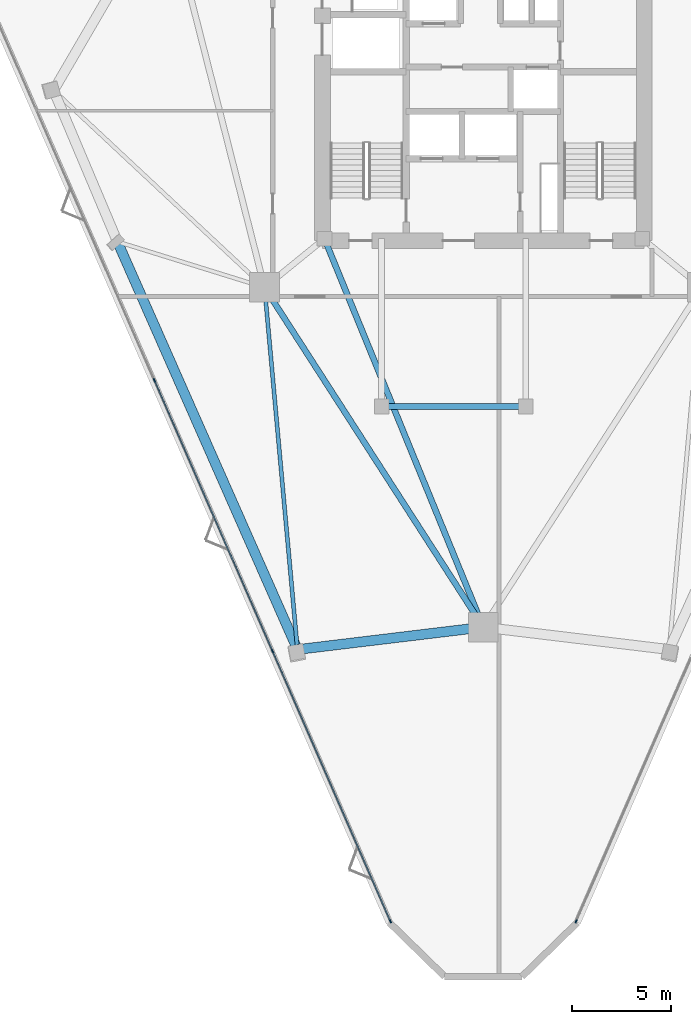
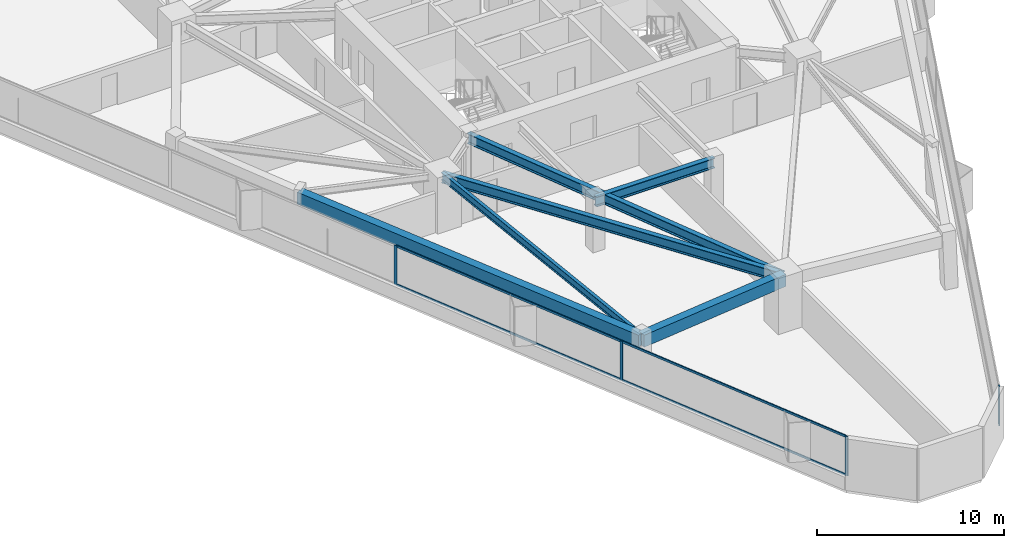
# One storey, part 2 of 14: 8 members, 6 beams, 2 elements without a shape of their own.
"""IFC4 building model written with IfcOpenShell, lengths in metres."""

from ifc_helpers import new_model, si_unit, direction, frame, origin, origin_2d, place, context, subcontext, project, spatial, rectangle, i_section, extrude, material, layer, layer_set, material_profile, profile_set, type_object, element, aggregate, save


model = new_model("IFC4")

# Units and contexts
model_context = context("Model", 3, precision=1e-05, world=origin(), true_north=direction((0.0, 1.0)))
body_context = subcontext(model_context, "Body", "Model", "MODEL_VIEW")
ifc_project = project(units=[si_unit("LENGTHUNIT", "METRE"), si_unit("AREAUNIT", "SQUARE_METRE"), si_unit("VOLUMEUNIT", "CUBIC_METRE"), si_unit("PLANEANGLEUNIT", "RADIAN"), si_unit("MASSUNIT", "GRAM", prefix="KILO")], contexts=[model_context])

# Site, building, storey
site_placement = place(None, origin())
site = spatial("IfcSite", under=ifc_project, at=site_placement, CompositionType="ELEMENT")
building_placement = place(site_placement, origin())
building = spatial("IfcBuilding", under=site, at=building_placement, Name="Talyreon Biosciences Tower", CompositionType="ELEMENT")
storey_placement = place(building_placement, frame((0.0, 0.0, 138.14990234375)))
storey = spatial("IfcBuildingStorey", under=building, at=storey_placement, Name="L36", CompositionType="ELEMENT", Elevation=138.14990234375)

# Curtain wall, members
ifc_material_1 = material(Name="Thermally broken aluminium and low-E glazing", Category="aluminium")
ifc_layer = layer(ifc_material_1, 0.18505859375)
ifc_layer_set = layer_set([ifc_layer], Name="Thermally broken aluminium and low-E glazing")
curtain_wall_type = type_object("IfcCurtainWallType", Name="CurtainWall_Zone3Bioprocess", PredefinedType="NOTDEFINED", material=ifc_layer_set)
curtain_wall_1_placement = place(storey_placement, origin())
curtain_wall_1 = element("IfcCurtainWall", 1, at=curtain_wall_1_placement, inside=storey, type_object=curtain_wall_type, Name="L36 Unitised Curtain Wall FCW-L36-00", PredefinedType="NOTDEFINED")
ifc_material_2 = material(Name="Anodised thermally broken aluminium", Category="aluminium")
ifc_material_profile_1 = material_profile(ifc_material_2, rectangle(XDim=0.06494140625, YDim=0.179931640625, at=origin_2d()), Name="ALUM MULLION 65x180")
ifc_profile_set_1 = profile_set([ifc_material_profile_1], Name="Anodised thermally broken aluminium")
member_type_1 = type_object("IfcMemberType", Name="CWMullion_65x180", PredefinedType="MULLION", material=ifc_profile_set_1)
member_1_placement = place(storey_placement, frame((61.294189453125, 26.75537109375, 0.81005859375), z_axis=(0.0, 0.0, 1.0), x_axis=(-0.916566441856, -0.399882429801, 0.0)))
member_1 = element("IfcMember", 2, at=member_1_placement, type_object=member_type_1, Name="CW4 mullion 1", PredefinedType="MULLION", context=body_context, shape_type="SweptSolid", body=[
    extrude(rectangle(XDim=0.06494140625, YDim=0.179931640625, at=origin_2d()), origin(), (0.0, 0.0, 1.0), 2.56494140625),
])
member_2_placement = place(storey_placement, frame((55.31787109375, 40.453857421875, 0.81005859375), z_axis=(0.0, 0.0, 1.0), x_axis=(-0.916566441856, -0.399882429801, 0.0)))
member_2 = element("IfcMember", 3, at=member_2_placement, type_object=member_type_1, Name="CW4 mullion 2", PredefinedType="MULLION", context=body_context, shape_type="SweptSolid", body=[
    extrude(rectangle(XDim=0.06494140625, YDim=0.179931640625, at=origin_2d()), origin(), (0.0, 0.0, 1.0), 2.56494140625),
])
member_3_placement = place(storey_placement, frame((49.328369140625, 54.18212890625, 0.81005859375), z_axis=(0.0, 0.0, 1.0), x_axis=(-0.916566441856, -0.399882429801, 0.0)))
member_3 = element("IfcMember", 4, at=member_3_placement, type_object=member_type_1, Name="CW4 mullion 3", PredefinedType="MULLION", context=body_context, shape_type="SweptSolid", body=[
    extrude(rectangle(XDim=0.06494140625, YDim=0.179931640625, at=origin_2d()), origin(), (0.0, 0.0, 1.0), 2.56494140625),
])

# Curtain wall, member
curtain_wall_2_placement = place(storey_placement, origin())
curtain_wall_2 = element("IfcCurtainWall", 5, at=curtain_wall_2_placement, inside=storey, type_object=curtain_wall_type, Name="L36 Unitised Curtain Wall FCW-L36-08", PredefinedType="NOTDEFINED")
member_4_placement = place(storey_placement, frame((70.705810546875, 26.75537109375, 0.81005859375), z_axis=(0.0, 0.0, 1.0), x_axis=(0.916566441856, -0.399882429801, 0.0)))
member_4 = element("IfcMember", 6, at=member_4_placement, type_object=member_type_1, Name="CW4 mullion 5", PredefinedType="MULLION", context=body_context, shape_type="SweptSolid", body=[
    extrude(rectangle(XDim=0.06494140625, YDim=0.179931640625, at=origin_2d()), origin(), (0.0, 0.0, 1.0), 2.56494140625),
])
aggregate(curtain_wall_2, [member_4])

# Member
ifc_material_profile_2 = material_profile(ifc_material_2, rectangle(XDim=0.06494140625, YDim=0.139892578125, at=origin_2d()), Name="ALUM TRANSOM 65x140")
ifc_profile_set_2 = profile_set([ifc_material_profile_2], Name="Anodised thermally broken aluminium")
member_type_2 = type_object("IfcMemberType", Name="CWTransom_65x140", PredefinedType="USERDEFINED", material=ifc_profile_set_2)
member_5_placement = place(storey_placement, frame((61.28125, 26.78515625, 0.842529296875), z_axis=(-0.39988306059, 0.916566166653, 0.0), x_axis=(-0.916566166653, -0.39988306059, 0.0)))
member_5 = element("IfcMember", 7, at=member_5_placement, type_object=member_type_2, Name="CW4 transom 1.1", ObjectType="TRANSOM", PredefinedType="USERDEFINED", context=body_context, shape_type="SweptSolid", body=[
    extrude(rectangle(XDim=0.06494140625, YDim=0.139892578125, at=origin_2d()), origin(), (0.0, 0.0, 1.0), 14.88037109375),
])

member_6_placement = place(storey_placement, frame((61.28125, 26.78515625, 3.342529296875), z_axis=(-0.39988306059, 0.916566166653, 0.0), x_axis=(-0.916566166653, -0.39988306059, 0.0)))
member_6 = element("IfcMember", 8, at=member_6_placement, type_object=member_type_2, Name="CW4 transom 1.2", ObjectType="TRANSOM", PredefinedType="USERDEFINED", context=body_context, shape_type="SweptSolid", body=[
    extrude(rectangle(XDim=0.06494140625, YDim=0.139892578125, at=origin_2d()), origin(), (0.0, 0.0, 1.0), 14.88037109375),
])

member_7_placement = place(storey_placement, frame((55.3046875, 40.483642578125, 0.842529296875), z_axis=(-0.399879943614, 0.916567526533, 0.0), x_axis=(-0.916567526533, -0.399879943614, 0.0)))
member_7 = element("IfcMember", 9, at=member_7_placement, type_object=member_type_2, Name="CW4 transom 2.1", ObjectType="TRANSOM", PredefinedType="USERDEFINED", context=body_context, shape_type="SweptSolid", body=[
    extrude(rectangle(XDim=0.06494140625, YDim=0.139892578125, at=origin_2d()), origin(), (0.0, 0.0, 1.0), 14.912841796875),
])

member_8_placement = place(storey_placement, frame((55.3046875, 40.483642578125, 3.342529296875), z_axis=(-0.399879943614, 0.916567526533, 0.0), x_axis=(-0.916567526533, -0.399879943614, 0.0)))
member_8 = element("IfcMember", 10, at=member_8_placement, type_object=member_type_2, Name="CW4 transom 2.2", ObjectType="TRANSOM", PredefinedType="USERDEFINED", context=body_context, shape_type="SweptSolid", body=[
    extrude(rectangle(XDim=0.06494140625, YDim=0.139892578125, at=origin_2d()), origin(), (0.0, 0.0, 1.0), 14.912841796875),
])

aggregate(curtain_wall_1, [member_1, member_2, member_3, member_5, member_6, member_7, member_8])

# Beams
ifc_material_3 = material(Name="Precast concrete C45/55", Category="concrete")
ifc_material_profile_3 = material_profile(ifc_material_3, rectangle(XDim=0.5, YDim=0.780029296875, at=origin_2d()), Name="RCB 500x780")
ifc_profile_set_3 = profile_set([ifc_material_profile_3], Name="Precast concrete C45/55")
beam_type_1 = type_object("IfcBeamType", Name="ExpressedSpandrel_500x780", PredefinedType="SPANDREL", material=ifc_profile_set_3)
beam_1_placement = place(storey_placement, frame((47.459228515625, 61.197998046875, 2.985107421875), z_axis=(0.403879120587, -0.914812361063, 0.0), x_axis=(0.914812361063, 0.403879120587, 0.0)))
element("IfcBeam", 11, at=beam_1_placement, inside=storey, type_object=beam_type_1, Name="L36 Expressed Horizontal Concrete Spandrel 11", PredefinedType="SPANDREL", context=body_context, shape_type="SweptSolid", body=[
    extrude(rectangle(XDim=0.5, YDim=0.780029296875, at=origin_2d()), origin(), (0.0, 0.0, 1.0), 22.591064453125),
])
beam_2_placement = place(storey_placement, frame((56.583251953125, 40.531494140625, 2.985107421875), z_axis=(0.992808224739, 0.11971561674, 0.0), x_axis=(-0.11971561674, 0.992808224739, 0.0)))
element("IfcBeam", 12, at=beam_2_placement, inside=storey, type_object=beam_type_1, Name="L36 Expressed Horizontal Concrete Spandrel 12", PredefinedType="SPANDREL", context=body_context, shape_type="SweptSolid", body=[
    extrude(rectangle(XDim=0.5, YDim=0.780029296875, at=origin_2d()), origin(), (0.0, 0.0, 1.0), 9.48486328125),
])
ifc_material_4 = material(Name="Steel SM355", Category="steel")
ifc_material_profile_4 = material_profile(ifc_material_4, i_section(OverallWidth=0.300048828125, OverallDepth=0.64990234375, WebThickness=0.01611328125, FlangeThickness=0.031005859375, FilletRadius=0.027099609375, at=origin_2d()), Name="HE650B")
ifc_profile_set_4 = profile_set([ifc_material_profile_4], Name="Steel SM355")
beam_type_2 = type_object("IfcBeamType", Name="SteelBeam_HE650B", PredefinedType="BEAM", material=ifc_profile_set_4)
beam_3_placement = place(storey_placement, frame((54.913818359375, 58.88037109375, 3.050048828125), z_axis=(0.541463723609, -0.840724114092, 0.0), x_axis=(0.840724114092, 0.541463723609, 0.0)))
element("IfcBeam", 13, at=beam_3_placement, inside=storey, type_object=beam_type_2, Name="L36 Mega-Ring Girder 6", PredefinedType="BEAM", context=body_context, shape_type="SweptSolid", body=[
    extrude(i_section(OverallWidth=0.300048828125, OverallDepth=0.64990234375, WebThickness=0.01611328125, FlangeThickness=0.031005859375, FilletRadius=0.027099609375, at=origin_2d()), origin(), (0.0, 0.0, 1.0), 20.474365234375),
])
beam_4_placement = place(storey_placement, frame((57.949951171875, 61.35009765625, 3.050048828125), z_axis=(0.378547014545, -0.925582064314, 0.0), x_axis=(0.925582064314, 0.378547014545, 0.0)))
element("IfcBeam", 14, at=beam_4_placement, inside=storey, type_object=beam_type_2, Name="L36 Radial Primary Girder 1", PredefinedType="BEAM", context=body_context, shape_type="SweptSolid", body=[
    extrude(i_section(OverallWidth=0.300048828125, OverallDepth=0.64990234375, WebThickness=0.01611328125, FlangeThickness=0.031005859375, FilletRadius=0.027099609375, at=origin_2d()), origin(), (0.0, 0.0, 1.0), 21.265625),
])
beam_5_placement = place(storey_placement, frame((60.85009765625, 52.840087890625, 3.050048828125), z_axis=(1.0, 0.0, 0.0), x_axis=(0.0, 1.0, 0.0)))
element("IfcBeam", 15, at=beam_5_placement, inside=storey, type_object=beam_type_2, Name="L36 Crown Shaft Spine Girder S", PredefinedType="BEAM", context=body_context, shape_type="SweptSolid", body=[
    extrude(i_section(OverallWidth=0.300048828125, OverallDepth=0.64990234375, WebThickness=0.01611328125, FlangeThickness=0.031005859375, FilletRadius=0.027099609375, at=origin_2d()), origin(), (0.0, 0.0, 1.0), 7.2998046875),
])
ifc_material_profile_5 = material_profile(ifc_material_4, i_section(OverallWidth=0.199951171875, OverallDepth=0.5, WebThickness=0.01025390625, FlangeThickness=0.01611328125, FilletRadius=0.02099609375, at=origin_2d()), Name="IPE500")
ifc_profile_set_5 = profile_set([ifc_material_profile_5], Name="Steel SM355")
beam_type_3 = type_object("IfcBeamType", Name="SteelJoist_IPE500", PredefinedType="JOIST", material=ifc_profile_set_5)
beam_6_placement = place(storey_placement, frame((54.913818359375, 58.88037109375, 3.125), z_axis=(0.090608624922, -0.995886578426, 0.0), x_axis=(0.995886578426, 0.090608624922, 0.0)))
element("IfcBeam", 16, at=beam_6_placement, inside=storey, type_object=beam_type_3, Name="L36 Radial Composite Floor Joist PC-SW2", PredefinedType="JOIST", context=body_context, shape_type="SweptSolid", body=[
    extrude(i_section(OverallWidth=0.199951171875, OverallDepth=0.5, WebThickness=0.01025390625, FlangeThickness=0.01611328125, FilletRadius=0.02099609375, at=origin_2d()), origin(), (0.0, 0.0, 1.0), 18.424560546875),
])

save(model, "model.ifc")
